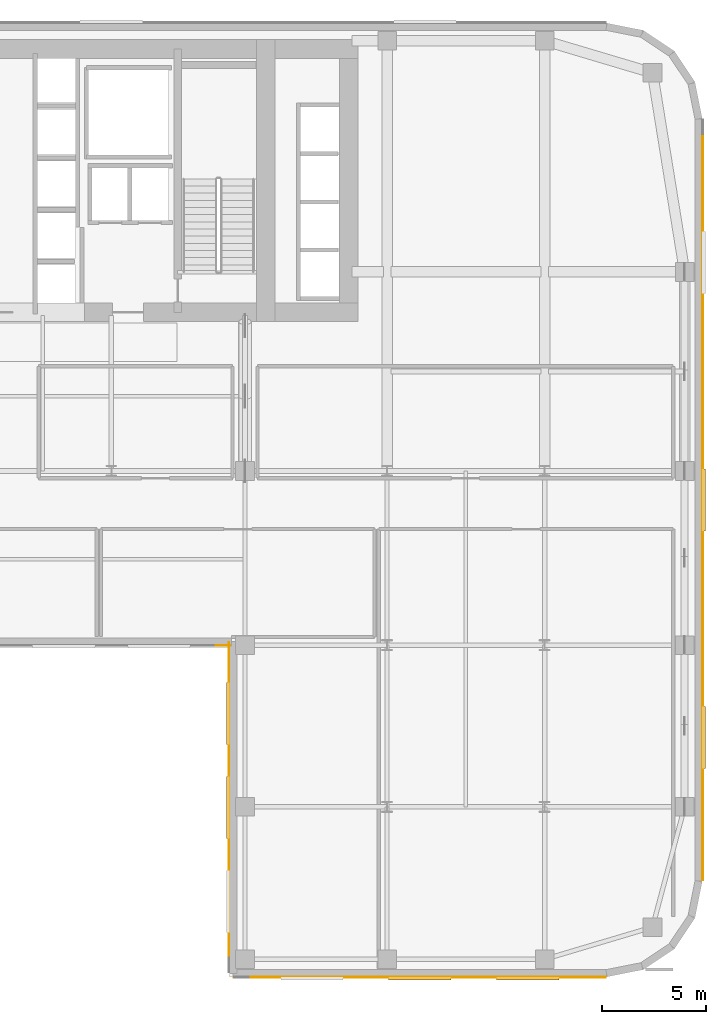
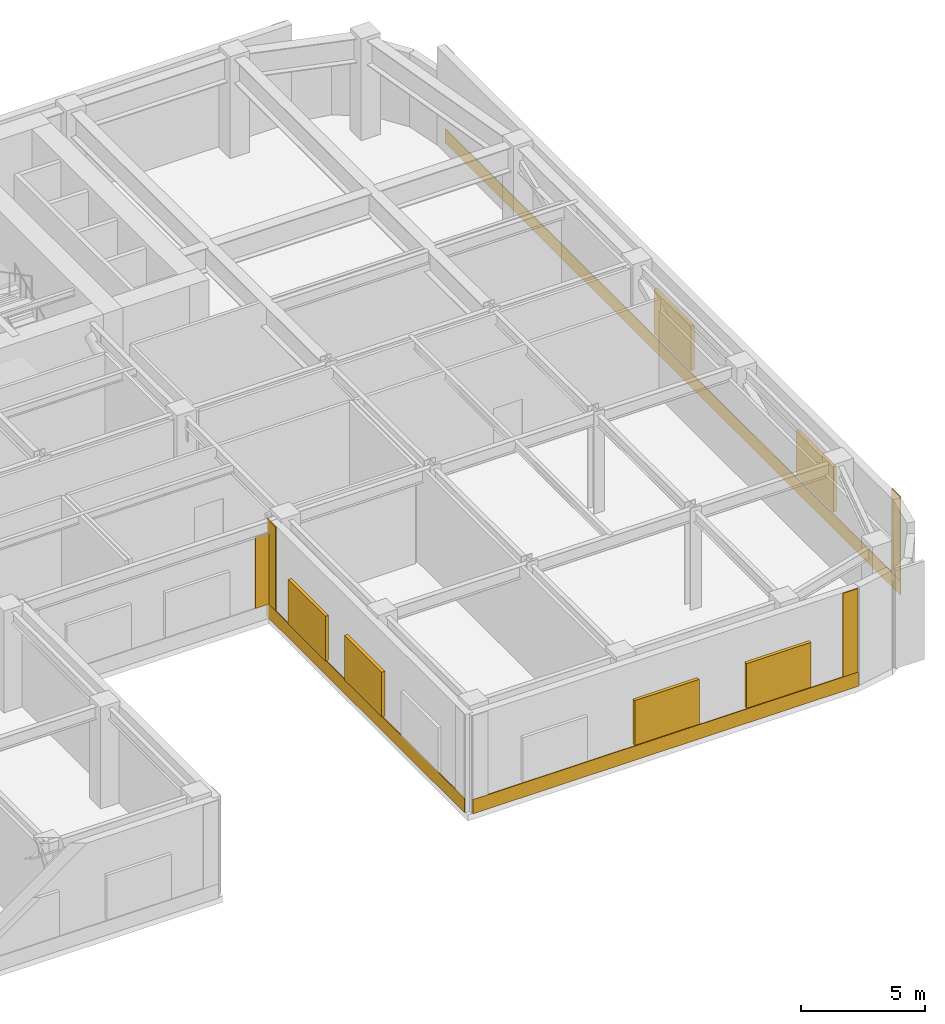
# One storey, part 8 of 11: 7 coverings, 6 shading devices.
"""IFC4 building model written with IfcOpenShell, lengths in metres."""

from ifc_helpers import new_model, si_unit, direction, frame, origin, place, context, subcontext, project, spatial, polyline, outline, extrude, material, layer, layer_set, type_object, element, save


model = new_model("IFC4")

# Units and contexts
model_context = context("Model", 3, precision=1e-05, world=origin(), true_north=direction((0.0, 1.0)))
body_context = subcontext(model_context, "Body", "Model", "MODEL_VIEW")
ifc_project = project(units=[si_unit("LENGTHUNIT", "METRE"), si_unit("AREAUNIT", "SQUARE_METRE"), si_unit("VOLUMEUNIT", "CUBIC_METRE"), si_unit("PLANEANGLEUNIT", "RADIAN"), si_unit("MASSUNIT", "GRAM", prefix="KILO")], contexts=[model_context])

# Site, building, storey
site_placement = place(None, origin())
site = spatial("IfcSite", under=ifc_project, at=site_placement, CompositionType="ELEMENT")
building_placement = place(site_placement, origin())
building = spatial("IfcBuilding", under=site, at=building_placement, Name="Tolvann Quenvar Hotel", CompositionType="ELEMENT")
storey_placement = place(building_placement, frame((0.0, 0.0, 95.89990234375)))
storey = spatial("IfcBuildingStorey", under=building, at=storey_placement, Name="L24", CompositionType="ELEMENT", Elevation=95.89990234375)

# Coverings
ifc_material_1 = material(Name="Kiln-fired red architectural face brick cladding", Category="masonry")
ifc_layer_1 = layer(ifc_material_1, 0.0400390625)
ifc_layer_set_1 = layer_set([ifc_layer_1], Name="Kiln-fired red architectural face brick cladding")
covering_type_1 = type_object("IfcCoveringType", Name="COV_CLAD_BRICK_40", PredefinedType="CLADDING", material=ifc_layer_set_1)
covering_1_placement = place(storey_placement, frame((0.0, 0.0, 0.7001953125)))
element("IfcCovering", 1, at=covering_1_placement, inside=storey, type_object=covering_type_1, Name="Brick Pier Cladding (L24-E06-P2)", PredefinedType="CLADDING", context=body_context, shape_type="SweptSolid", body=[
    extrude(outline(polyline([(33.5400390625, 16.0), (34.239990234375, 16.0), (34.239990234375, 15.9599609375), (33.5400390625, 15.9599609375), (33.5400390625, 16.0)])), origin(), (0.0, 0.0, 1.0), 3.497802734375),
])
covering_2_placement = place(storey_placement, frame((0.0, 0.0, 0.7001953125)))
element("IfcCovering", 2, at=covering_2_placement, inside=storey, type_object=covering_type_1, Name="Brick Pier Cladding (L24-E07-P1)", PredefinedType="CLADDING", context=body_context, shape_type="SweptSolid", body=[
    extrude(outline(polyline([(34.199951171875, 16.125), (34.199951171875, 15.425048828125), (34.159912109375, 15.425048828125), (34.159912109375, 16.125), (34.199951171875, 16.125)])), origin(), (0.0, 0.0, 1.0), 4.119873046875),
])
covering_3_placement = place(storey_placement, frame((0.0, 0.0, 0.7001953125)))
element("IfcCovering", 3, at=covering_3_placement, inside=storey, type_object=covering_type_1, Name="Brick Pier Cladding (L24-E08-P2)", PredefinedType="CLADDING", context=body_context, shape_type="SweptSolid", body=[
    extrude(outline(polyline([(51.6328125, 0.0), (52.332763671875, 0.0), (52.332763671875, -0.0400390625), (51.6328125, -0.0400390625), (51.6328125, 0.0)])), origin(), (0.0, 0.0, 1.0), 4.119873046875),
])
covering_4_placement = place(storey_placement, frame((0.0, 0.0, 0.7001953125)))
element("IfcCovering", 4, at=covering_4_placement, inside=storey, type_object=covering_type_1, Name="Brick Pier Cladding (L24-E13-P1)", PredefinedType="CLADDING", context=body_context, shape_type="SweptSolid", body=[
    extrude(outline(polyline([(57.0, 4.667236328125), (57.0, 5.3671875), (57.0400390625, 5.3671875), (57.0400390625, 4.667236328125), (57.0, 4.667236328125)])), origin(), (0.0, 0.0, 1.0), 4.119873046875),
])
ifc_material_2 = material(Name="Moulded buff architectural terracotta spandrel cladding", Category="masonry")
ifc_layer_2 = layer(ifc_material_2, 0.0400390625)
ifc_layer_set_2 = layer_set([ifc_layer_2], Name="Moulded buff architectural terracotta spandrel cladding")
covering_type_2 = type_object("IfcCoveringType", Name="COV_CLAD_TERRA_40", PredefinedType="CLADDING", material=ifc_layer_set_2)
covering_5_placement = place(storey_placement, origin())
element("IfcCovering", 5, at=covering_5_placement, inside=storey, type_object=covering_type_2, Name="Terracotta Spandrel Cladding (L24-E07)", PredefinedType="CLADDING", context=body_context, shape_type="SweptSolid", body=[
    extrude(outline(polyline([(34.199951171875, 16.135009765625), (34.199951171875, 0.215087890625), (34.159912109375, 0.215087890625), (34.159912109375, 16.135009765625), (34.199951171875, 16.135009765625)])), origin(), (0.0, 0.0, 1.0), 0.7001953125),
])
covering_6_placement = place(storey_placement, origin())
element("IfcCovering", 6, at=covering_6_placement, inside=storey, type_object=covering_type_2, Name="Terracotta Spandrel Cladding (L24-E08)", PredefinedType="CLADDING", context=body_context, shape_type="SweptSolid", body=[
    extrude(outline(polyline([(34.4150390625, 0.0), (52.3427734375, 0.0), (52.3427734375, -0.0400390625), (34.4150390625, -0.0400390625), (34.4150390625, 0.0)])), origin(), (0.0, 0.0, 1.0), 0.7001953125),
])
covering_7_placement = place(storey_placement, origin())
element("IfcCovering", 7, at=covering_7_placement, inside=storey, type_object=covering_type_2, Name="Terracotta Spandrel Cladding (L24-E13)", PredefinedType="CLADDING", context=body_context, shape_type="SweptSolid", body=[
    extrude(outline(polyline([(57.0, 4.6572265625), (57.0, 41.3427734375), (57.0400390625, 41.3427734375), (57.0400390625, 4.6572265625), (57.0, 4.6572265625)])), origin(), (0.0, 0.0, 1.0), 0.7001953125),
])

# Shading devices
ifc_material_3 = material(Name="Extruded bronze-anodised aluminium acoustic weather louvre", Category="aluminium")
shading_device_type = type_object("IfcShadingDeviceType", Name="SHD_LOUVRE_AL", PredefinedType="JALOUSIE", material=ifc_material_3)
shading_device_1_placement = place(storey_placement, frame((0.0, 0.0, 0.820068359375)))
element("IfcShadingDevice", 8, at=shading_device_1_placement, inside=storey, type_object=shading_device_type, Name="Acoustic Plant Weather Louvre (L24-E07-1)", PredefinedType="JALOUSIE", context=body_context, shape_type="SweptSolid", body=[
    extrude(outline(polyline([(34.199951171875, 14.208251953125), (34.199951171875, 11.208251953125), (34.050048828125, 11.208251953125), (34.050048828125, 14.208251953125), (34.199951171875, 14.208251953125)])), origin(), (0.0, 0.0, 1.0), 2.199951171875),
])
shading_device_2_placement = place(storey_placement, frame((0.0, 0.0, 0.820068359375)))
element("IfcShadingDevice", 9, at=shading_device_2_placement, inside=storey, type_object=shading_device_type, Name="Acoustic Plant Weather Louvre (L24-E07-2)", PredefinedType="JALOUSIE", context=body_context, shape_type="SweptSolid", body=[
    extrude(outline(polyline([(34.199951171875, 9.675048828125), (34.199951171875, 6.675048828125), (34.050048828125, 6.675048828125), (34.050048828125, 9.675048828125), (34.199951171875, 9.675048828125)])), origin(), (0.0, 0.0, 1.0), 2.199951171875),
])
shading_device_3_placement = place(storey_placement, frame((0.0, 0.0, 0.820068359375)))
element("IfcShadingDevice", 10, at=shading_device_3_placement, inside=storey, type_object=shading_device_type, Name="Acoustic Plant Weather Louvre (L24-E08-2)", PredefinedType="JALOUSIE", context=body_context, shape_type="SweptSolid", body=[
    extrude(outline(polyline([(41.87890625, 0.0), (44.87890625, 0.0), (44.87890625, -0.14990234375), (41.87890625, -0.14990234375), (41.87890625, 0.0)])), origin(), (0.0, 0.0, 1.0), 2.199951171875),
])
shading_device_4_placement = place(storey_placement, frame((0.0, 0.0, 0.820068359375)))
element("IfcShadingDevice", 11, at=shading_device_4_placement, inside=storey, type_object=shading_device_type, Name="Acoustic Plant Weather Louvre (L24-E08-3)", PredefinedType="JALOUSIE", context=body_context, shape_type="SweptSolid", body=[
    extrude(outline(polyline([(47.08154296875, 0.0), (50.08154296875, 0.0), (50.08154296875, -0.14990234375), (47.08154296875, -0.14990234375), (47.08154296875, 0.0)])), origin(), (0.0, 0.0, 1.0), 2.199951171875),
])
shading_device_5_placement = place(storey_placement, frame((0.0, 0.0, 0.820068359375)))
element("IfcShadingDevice", 12, at=shading_device_5_placement, inside=storey, type_object=shading_device_type, Name="Acoustic Plant Weather Louvre (L24-E13-1)", PredefinedType="JALOUSIE", context=body_context, shape_type="SweptSolid", body=[
    extrude(outline(polyline([(57.0, 10.044921875), (57.0, 13.044921875), (57.14990234375, 13.044921875), (57.14990234375, 10.044921875), (57.0, 10.044921875)])), origin(), (0.0, 0.0, 1.0), 2.199951171875),
])
shading_device_6_placement = place(storey_placement, frame((0.0, 0.0, 0.820068359375)))
element("IfcShadingDevice", 13, at=shading_device_6_placement, inside=storey, type_object=shading_device_type, Name="Acoustic Plant Weather Louvre (L24-E13-2)", PredefinedType="JALOUSIE", context=body_context, shape_type="SweptSolid", body=[
    extrude(outline(polyline([(57.0, 21.5), (57.0, 24.5), (57.14990234375, 24.5), (57.14990234375, 21.5), (57.0, 21.5)])), origin(), (0.0, 0.0, 1.0), 2.199951171875),
])

save(model, "model.ifc")
